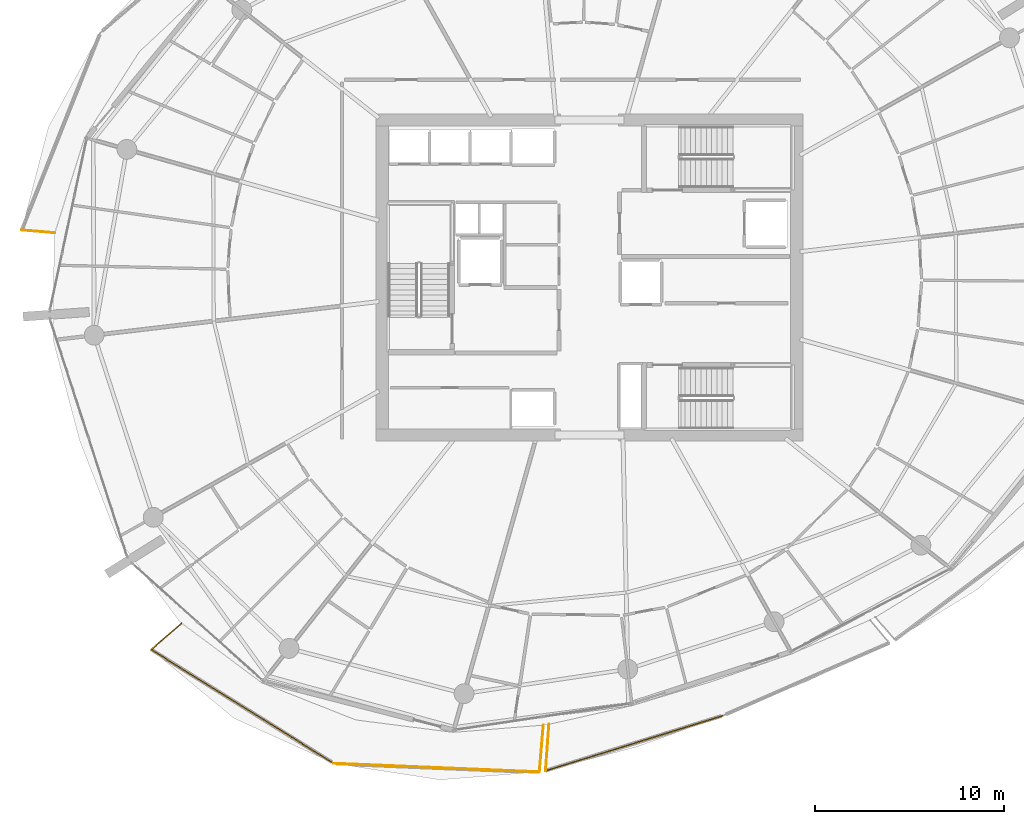
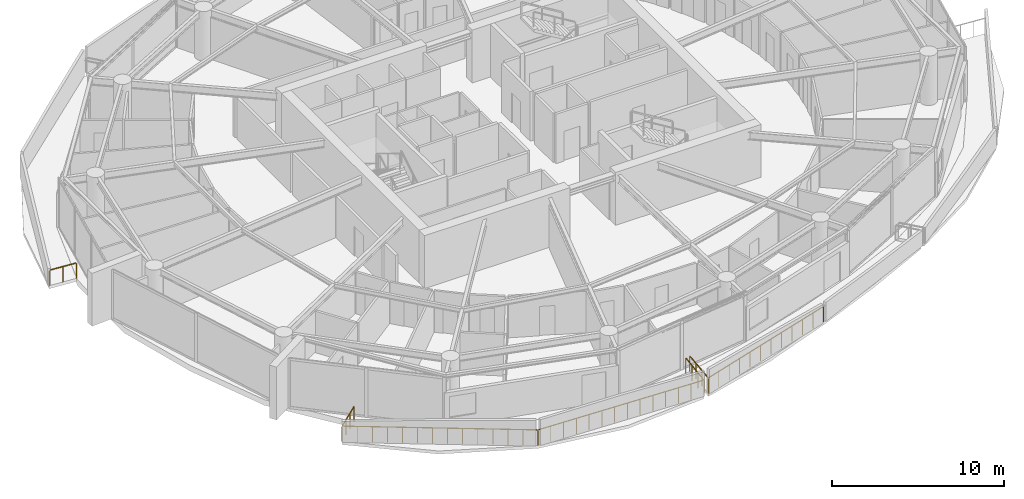
# One storey, part 17 of 21: 7 railings.
"""IFC4 building model written with IfcOpenShell, lengths in metres."""

from ifc_helpers import new_model, si_unit, direction, frame, origin, origin_2d, place, context, subcontext, project, spatial, rectangle, extrude, material, type_object, element, save


model = new_model("IFC4")

# Units and contexts
model_context = context("Model", 3, precision=1e-05, world=origin(), true_north=direction((0.0, 1.0)))
body_context = subcontext(model_context, "Body", "Model", "MODEL_VIEW")
ifc_project = project(units=[si_unit("LENGTHUNIT", "METRE"), si_unit("AREAUNIT", "SQUARE_METRE"), si_unit("VOLUMEUNIT", "CUBIC_METRE"), si_unit("PLANEANGLEUNIT", "RADIAN"), si_unit("MASSUNIT", "GRAM", prefix="KILO")], contexts=[model_context])

# Site, building, storey
site_placement = place(None, origin())
site = spatial("IfcSite", under=ifc_project, at=site_placement, CompositionType="ELEMENT")
building_placement = place(site_placement, origin())
building = spatial("IfcBuilding", under=site, at=building_placement, Name="Kazma Halo Residences", CompositionType="ELEMENT")
storey_placement = place(building_placement, frame((0.0, 0.0, 176.550048828125)))
storey = spatial("IfcBuildingStorey", under=building, at=storey_placement, Name="L44", CompositionType="ELEMENT", Elevation=176.550048828125)

# Railings
ifc_material = material(Name="Aluminium AW-6063 T6 Brushed Cap Rail", Category="aluminium")
railing_type = type_object("IfcRailingType", Name="RLG-BAL-CAP-1120", PredefinedType="BALUSTRADE", material=ifc_material)
railing_1_placement = place(storey_placement, frame((18.413818359375, 44.510498046875, 0.0)))
element("IfcRailing", 1, at=railing_1_placement, inside=storey, type_object=railing_type, Name="L44 NW wave balcony guard 4", PredefinedType="BALUSTRADE", context=body_context, shape_type="SweptSolid", body=[
    extrude(rectangle(XDim=0.050048828125, YDim=0.050048828125, at=origin_2d()), frame((0.04248046875, -0.003662109375, 1.09521484375), z_axis=(0.996418198559, -0.084562246784, 0.0), x_axis=(0.084562246784, 0.996418198559, 0.0)), (0.0, 0.0, 1.0), 1.673095703125),
    extrude(rectangle(XDim=0.0400390625, YDim=0.0400390625, at=origin_2d()), origin(), (0.0, 0.0, 1.0), 1.05810546875),
    extrude(rectangle(XDim=0.0400390625, YDim=0.0400390625, at=origin_2d()), frame((0.8759765625, -0.07421875, 0.0)), (0.0, 0.0, 1.0), 1.05810546875),
    extrude(rectangle(XDim=0.0400390625, YDim=0.0400390625, at=origin_2d()), frame((1.751953125, -0.148681640625, 0.0)), (0.0, 0.0, 1.0), 1.05810546875),
])
railing_2_placement = place(storey_placement, frame((26.869873046875, 23.728759765625, 0.0)))
element("IfcRailing", 2, at=railing_2_placement, inside=storey, type_object=railing_type, Name="L44 SW wave balcony guard 1", PredefinedType="BALUSTRADE", context=body_context, shape_type="SweptSolid", body=[
    extrude(rectangle(XDim=0.050048828125, YDim=0.050048828125, at=origin_2d()), frame((-0.0322265625, -0.02783203125, 1.09521484375), z_axis=(-0.75640764882, -0.654100503597, 0.0), x_axis=(0.654100503597, -0.75640764882, 0.0)), (0.0, 0.0, 1.0), 2.04345703125),
    extrude(rectangle(XDim=0.0400390625, YDim=0.0400390625, at=origin_2d()), origin(), (0.0, 0.0, 1.0), 1.05810546875),
    extrude(rectangle(XDim=0.0400390625, YDim=0.0400390625, at=origin_2d()), frame((-0.53662109375, -0.464111328125, 0.0)), (0.0, 0.0, 1.0), 1.05810546875),
    extrude(rectangle(XDim=0.0400390625, YDim=0.0400390625, at=origin_2d()), frame((-1.073486328125, -0.92822265625, 0.0)), (0.0, 0.0, 1.0), 1.05810546875),
    extrude(rectangle(XDim=0.0400390625, YDim=0.0400390625, at=origin_2d()), frame((-1.610107421875, -1.392333984375, 0.0)), (0.0, 0.0, 1.0), 1.05810546875),
])
railing_3_placement = place(storey_placement, frame((25.259765625, 22.33642578125, 0.0)))
element("IfcRailing", 3, at=railing_3_placement, inside=storey, type_object=railing_type, Name="L44 SW wave balcony guard 2", PredefinedType="BALUSTRADE", context=body_context, shape_type="SweptSolid", body=[
    extrude(rectangle(XDim=0.050048828125, YDim=0.050048828125, at=origin_2d()), frame((0.0361328125, -0.0224609375, 1.09521484375), z_axis=(0.848753354087, -0.528788940812, 0.0), x_axis=(0.528788940812, 0.848753354087, 0.0)), (0.0, 0.0, 1.0), 11.29150390625),
    extrude(rectangle(XDim=0.0400390625, YDim=0.0400390625, at=origin_2d()), origin(), (0.0, 0.0, 1.0), 1.05810546875),
    extrude(rectangle(XDim=0.0400390625, YDim=0.0400390625, at=origin_2d()), frame((0.74267578125, -0.462646484375, 0.0)), (0.0, 0.0, 1.0), 1.05810546875),
    extrude(rectangle(XDim=0.0400390625, YDim=0.0400390625, at=origin_2d()), frame((1.485595703125, -0.925537109375, 0.0)), (0.0, 0.0, 1.0), 1.05810546875),
    extrude(rectangle(XDim=0.0400390625, YDim=0.0400390625, at=origin_2d()), frame((2.228271484375, -1.38818359375, 0.0)), (0.0, 0.0, 1.0), 1.05810546875),
    extrude(rectangle(XDim=0.0400390625, YDim=0.0400390625, at=origin_2d()), frame((2.97119140625, -1.85107421875, 0.0)), (0.0, 0.0, 1.0), 1.05810546875),
    extrude(rectangle(XDim=0.0400390625, YDim=0.0400390625, at=origin_2d()), frame((3.7138671875, -2.313720703125, 0.0)), (0.0, 0.0, 1.0), 1.05810546875),
    extrude(rectangle(XDim=0.0400390625, YDim=0.0400390625, at=origin_2d()), frame((4.45654296875, -2.776611328125, 0.0)), (0.0, 0.0, 1.0), 1.05810546875),
    extrude(rectangle(XDim=0.0400390625, YDim=0.0400390625, at=origin_2d()), frame((5.199462890625, -3.2392578125, 0.0)), (0.0, 0.0, 1.0), 1.05810546875),
    extrude(rectangle(XDim=0.0400390625, YDim=0.0400390625, at=origin_2d()), frame((5.942138671875, -3.7021484375, 0.0)), (0.0, 0.0, 1.0), 1.05810546875),
    extrude(rectangle(XDim=0.0400390625, YDim=0.0400390625, at=origin_2d()), frame((6.684814453125, -4.164794921875, 0.0)), (0.0, 0.0, 1.0), 1.05810546875),
    extrude(rectangle(XDim=0.0400390625, YDim=0.0400390625, at=origin_2d()), frame((7.427734375, -4.627685546875, 0.0)), (0.0, 0.0, 1.0), 1.05810546875),
    extrude(rectangle(XDim=0.0400390625, YDim=0.0400390625, at=origin_2d()), frame((8.17041015625, -5.09033203125, 0.0)), (0.0, 0.0, 1.0), 1.05810546875),
    extrude(rectangle(XDim=0.0400390625, YDim=0.0400390625, at=origin_2d()), frame((8.913330078125, -5.55322265625, 0.0)), (0.0, 0.0, 1.0), 1.05810546875),
    extrude(rectangle(XDim=0.0400390625, YDim=0.0400390625, at=origin_2d()), frame((9.656005859375, -6.015869140625, 0.0)), (0.0, 0.0, 1.0), 1.05810546875),
])
railing_4_placement = place(storey_placement, frame((34.915771484375, 16.320556640625, 0.0)))
element("IfcRailing", 4, at=railing_4_placement, inside=storey, type_object=railing_type, Name="L44 SW wave balcony guard 3", PredefinedType="BALUSTRADE", context=body_context, shape_type="SweptSolid", body=[
    extrude(rectangle(XDim=0.050048828125, YDim=0.050048828125, at=origin_2d()), frame((0.04248046875, -0.001708984375, 1.09521484375), z_axis=(0.999139247637, -0.041482090486, 0.0), x_axis=(0.041482090486, 0.999139247637, 0.0)), (0.0, 0.0, 1.0), 10.791259765625),
    extrude(rectangle(XDim=0.0400390625, YDim=0.0400390625, at=origin_2d()), origin(), (0.0, 0.0, 1.0), 1.05810546875),
    extrude(rectangle(XDim=0.0400390625, YDim=0.0400390625, at=origin_2d()), frame((0.8359375, -0.03466796875, 0.0)), (0.0, 0.0, 1.0), 1.05810546875),
    extrude(rectangle(XDim=0.0400390625, YDim=0.0400390625, at=origin_2d()), frame((1.671875, -0.0693359375, 0.0)), (0.0, 0.0, 1.0), 1.05810546875),
    extrude(rectangle(XDim=0.0400390625, YDim=0.0400390625, at=origin_2d()), frame((2.5078125, -0.10400390625, 0.0)), (0.0, 0.0, 1.0), 1.05810546875),
    extrude(rectangle(XDim=0.0400390625, YDim=0.0400390625, at=origin_2d()), frame((3.34375, -0.138916015625, 0.0)), (0.0, 0.0, 1.0), 1.05810546875),
    extrude(rectangle(XDim=0.0400390625, YDim=0.0400390625, at=origin_2d()), frame((4.1796875, -0.173583984375, 0.0)), (0.0, 0.0, 1.0), 1.05810546875),
    extrude(rectangle(XDim=0.0400390625, YDim=0.0400390625, at=origin_2d()), frame((5.015625, -0.208251953125, 0.0)), (0.0, 0.0, 1.0), 1.05810546875),
    extrude(rectangle(XDim=0.0400390625, YDim=0.0400390625, at=origin_2d()), frame((5.851318359375, -0.242919921875, 0.0)), (0.0, 0.0, 1.0), 1.05810546875),
    extrude(rectangle(XDim=0.0400390625, YDim=0.0400390625, at=origin_2d()), frame((6.687255859375, -0.277587890625, 0.0)), (0.0, 0.0, 1.0), 1.05810546875),
    extrude(rectangle(XDim=0.0400390625, YDim=0.0400390625, at=origin_2d()), frame((7.523193359375, -0.312255859375, 0.0)), (0.0, 0.0, 1.0), 1.05810546875),
    extrude(rectangle(XDim=0.0400390625, YDim=0.0400390625, at=origin_2d()), frame((8.359130859375, -0.34716796875, 0.0)), (0.0, 0.0, 1.0), 1.05810546875),
    extrude(rectangle(XDim=0.0400390625, YDim=0.0400390625, at=origin_2d()), frame((9.195068359375, -0.3818359375, 0.0)), (0.0, 0.0, 1.0), 1.05810546875),
    extrude(rectangle(XDim=0.0400390625, YDim=0.0400390625, at=origin_2d()), frame((10.031005859375, -0.41650390625, 0.0)), (0.0, 0.0, 1.0), 1.05810546875),
    extrude(rectangle(XDim=0.0400390625, YDim=0.0400390625, at=origin_2d()), frame((10.866943359375, -0.451171875, 0.0)), (0.0, 0.0, 1.0), 1.05810546875),
])
railing_5_placement = place(storey_placement, frame((45.78271484375, 15.869384765625, 0.0)))
element("IfcRailing", 5, at=railing_5_placement, inside=storey, type_object=railing_type, Name="L44 SW wave balcony guard 4", PredefinedType="BALUSTRADE", context=body_context, shape_type="SweptSolid", body=[
    extrude(rectangle(XDim=0.050048828125, YDim=0.050048828125, at=origin_2d()), frame((0.003662109375, 0.04248046875, 1.09521484375), z_axis=(0.084639935833, 0.996411602332, 0.0), x_axis=(-0.996411602332, 0.084639935833, 0.0)), (0.0, 0.0, 1.0), 2.3984375),
    extrude(rectangle(XDim=0.0400390625, YDim=0.0400390625, at=origin_2d()), origin(), (0.0, 0.0, 1.0), 1.05810546875),
    extrude(rectangle(XDim=0.0400390625, YDim=0.0400390625, at=origin_2d()), frame((0.070068359375, 0.824951171875, 0.0)), (0.0, 0.0, 1.0), 1.05810546875),
    extrude(rectangle(XDim=0.0400390625, YDim=0.0400390625, at=origin_2d()), frame((0.14013671875, 1.649658203125, 0.0)), (0.0, 0.0, 1.0), 1.05810546875),
    extrude(rectangle(XDim=0.0400390625, YDim=0.0400390625, at=origin_2d()), frame((0.210205078125, 2.474609375, 0.0)), (0.0, 0.0, 1.0), 1.05810546875),
])
railing_6_placement = place(storey_placement, frame((46.286865234375, 18.387939453125, 0.0)))
element("IfcRailing", 6, at=railing_6_placement, inside=storey, type_object=railing_type, Name="L44 SSE wave balcony guard 1", PredefinedType="BALUSTRADE", context=body_context, shape_type="SweptSolid", body=[
    extrude(rectangle(XDim=0.050048828125, YDim=0.050048828125, at=origin_2d()), frame((-0.003173828125, -0.04248046875, 1.09521484375), z_axis=(-0.072387043976, -0.997376616863, 0.0), x_axis=(0.997376616863, -0.072387043976, 0.0)), (0.0, 0.0, 1.0), 2.38037109375),
    extrude(rectangle(XDim=0.0400390625, YDim=0.0400390625, at=origin_2d()), origin(), (0.0, 0.0, 1.0), 1.05810546875),
    extrude(rectangle(XDim=0.0400390625, YDim=0.0400390625, at=origin_2d()), frame((-0.0595703125, -0.819580078125, 0.0)), (0.0, 0.0, 1.0), 1.05810546875),
    extrude(rectangle(XDim=0.0400390625, YDim=0.0400390625, at=origin_2d()), frame((-0.118896484375, -1.639404296875, 0.0)), (0.0, 0.0, 1.0), 1.05810546875),
    extrude(rectangle(XDim=0.0400390625, YDim=0.0400390625, at=origin_2d()), frame((-0.178466796875, -2.458984375, 0.0)), (0.0, 0.0, 1.0), 1.05810546875),
])
railing_7_placement = place(storey_placement, frame((46.1083984375, 15.928955078125, 0.0)))
element("IfcRailing", 7, at=railing_7_placement, inside=storey, type_object=railing_type, Name="L44 SSE wave balcony guard 2", PredefinedType="BALUSTRADE", context=body_context, shape_type="SweptSolid", body=[
    extrude(rectangle(XDim=0.050048828125, YDim=0.050048828125, at=origin_2d()), frame((0.04052734375, 0.0126953125, 1.09521484375), z_axis=(0.954910471932, 0.296893904609, 0.0), x_axis=(-0.296893904609, 0.954910471932, 0.0)), (0.0, 0.0, 1.0), 9.771240234375),
    extrude(rectangle(XDim=0.0400390625, YDim=0.0400390625, at=origin_2d()), origin(), (0.0, 0.0, 1.0), 1.05810546875),
    extrude(rectangle(XDim=0.0400390625, YDim=0.0400390625, at=origin_2d()), frame((0.855712890625, 0.26611328125, 0.0)), (0.0, 0.0, 1.0), 1.05810546875),
    extrude(rectangle(XDim=0.0400390625, YDim=0.0400390625, at=origin_2d()), frame((1.711181640625, 0.531982421875, 0.0)), (0.0, 0.0, 1.0), 1.05810546875),
    extrude(rectangle(XDim=0.0400390625, YDim=0.0400390625, at=origin_2d()), frame((2.56689453125, 0.798095703125, 0.0)), (0.0, 0.0, 1.0), 1.05810546875),
    extrude(rectangle(XDim=0.0400390625, YDim=0.0400390625, at=origin_2d()), frame((3.422607421875, 1.064208984375, 0.0)), (0.0, 0.0, 1.0), 1.05810546875),
    extrude(rectangle(XDim=0.0400390625, YDim=0.0400390625, at=origin_2d()), frame((4.278076171875, 1.330078125, 0.0)), (0.0, 0.0, 1.0), 1.05810546875),
    extrude(rectangle(XDim=0.0400390625, YDim=0.0400390625, at=origin_2d()), frame((5.1337890625, 1.59619140625, 0.0)), (0.0, 0.0, 1.0), 1.05810546875),
    extrude(rectangle(XDim=0.0400390625, YDim=0.0400390625, at=origin_2d()), frame((5.9892578125, 1.862060546875, 0.0)), (0.0, 0.0, 1.0), 1.05810546875),
    extrude(rectangle(XDim=0.0400390625, YDim=0.0400390625, at=origin_2d()), frame((6.844970703125, 2.128173828125, 0.0)), (0.0, 0.0, 1.0), 1.05810546875),
    extrude(rectangle(XDim=0.0400390625, YDim=0.0400390625, at=origin_2d()), frame((7.70068359375, 2.394287109375, 0.0)), (0.0, 0.0, 1.0), 1.05810546875),
    extrude(rectangle(XDim=0.0400390625, YDim=0.0400390625, at=origin_2d()), frame((8.55615234375, 2.66015625, 0.0)), (0.0, 0.0, 1.0), 1.05810546875),
    extrude(rectangle(XDim=0.0400390625, YDim=0.0400390625, at=origin_2d()), frame((9.411865234375, 2.92626953125, 0.0)), (0.0, 0.0, 1.0), 1.05810546875),
])

save(model, "model.ifc")
